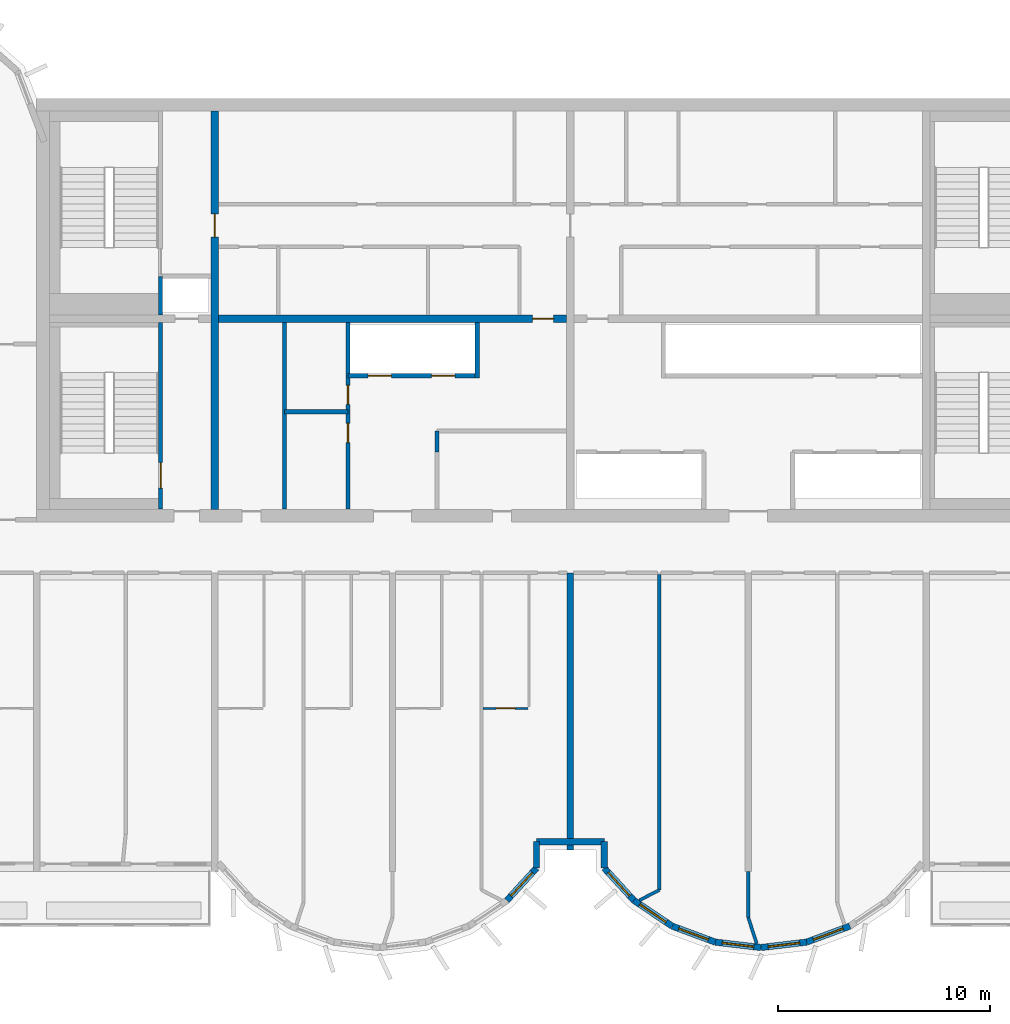
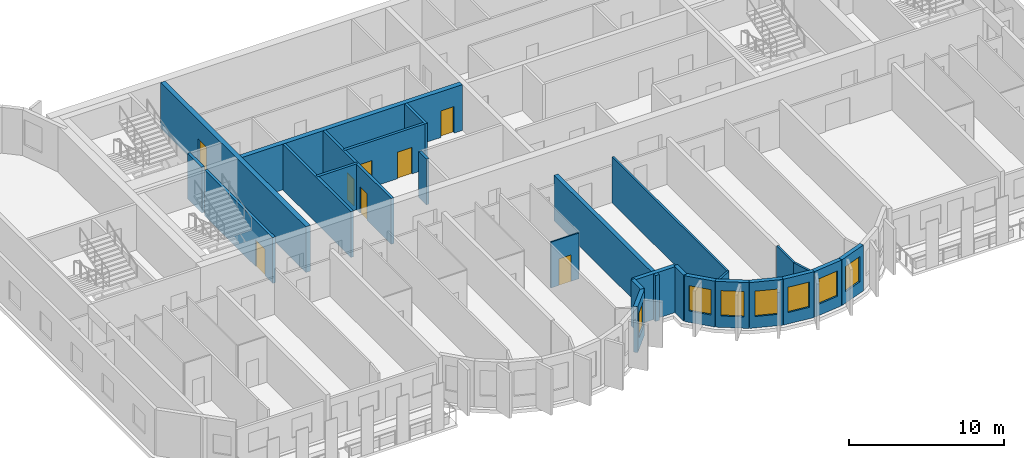
# One storey, part 4 of 11: 26 walls, 8 doors, 7 windows, 15 openings.
"""IFC4 building model written with IfcOpenShell, lengths in metres."""

from ifc_helpers import new_model, si_unit, direction, frame, frame_2d, origin, place, context, subcontext, project, spatial, rectangle, extrude, source, transform, mapped, material, layer, layer_set, type_object, element, fill, save


model = new_model("IFC4")

# Units and contexts
model_context = context("Model", 3, precision=1e-05, world=origin(), true_north=direction((0.0, 1.0)))
body_context = subcontext(model_context, "Body", "Model", "MODEL_VIEW")
ifc_project = project(units=[si_unit("LENGTHUNIT", "METRE"), si_unit("AREAUNIT", "SQUARE_METRE"), si_unit("VOLUMEUNIT", "CUBIC_METRE"), si_unit("PLANEANGLEUNIT", "RADIAN"), si_unit("MASSUNIT", "GRAM", prefix="KILO")], contexts=[model_context])

# Site, building, storey
site_placement = place(None, origin())
site = spatial("IfcSite", under=ifc_project, at=site_placement, CompositionType="ELEMENT")
building_placement = place(site_placement, origin())
building = spatial("IfcBuilding", under=site, at=building_placement, Name="Vanashikhar Sky Hotel", CompositionType="ELEMENT")
storey_placement = place(building_placement, frame((0.0, 0.0, 245.199951171875)))
storey = spatial("IfcBuildingStorey", under=building, at=storey_placement, Name="L59", CompositionType="ELEMENT", Elevation=245.199951171875)

# Wall, opening, door
ifc_material_1 = material(Name="Concrete M60", Category="concrete")
ifc_layer_1 = layer(ifc_material_1, 0.35009765625)
ifc_layer_set_1 = layer_set([ifc_layer_1], Name="RC core inner wall 350 Concrete M60")
wall_type_1 = type_object("IfcWallType", Name="RC core inner wall 350 Concrete M60", PredefinedType="SHEAR", material=ifc_layer_set_1)
shared_shape_1 = source(origin(), body_context, "Body", "SweptSolid", [
    extrude(rectangle(XDim=18.7998046875, YDim=0.35009765625, at=frame_2d((9.39990234375, 0.0))), origin(), (0.0, 0.0, 1.0), 3.6201171875),
])
wall_1_placement = place(storey_placement, frame((33.60009765625, 22.60009765625, 0.0), z_axis=(0.0, 0.0, 1.0), x_axis=(0.0, 1.0, 0.0)))
wall_1 = element("IfcWall", 1, at=wall_1_placement, inside=storey, type_object=wall_type_1, Name="KW-L59-KX1", PredefinedType="SHEAR", context=body_context, shape_type="MappedRepresentation", body=[
    mapped(shared_shape_1, transform((0.0, 0.0, 0.0), scale=1.0)),
])
shared_shape_2 = source(origin(), body_context, "Body", "SweptSolid", [
    extrude(rectangle(XDim=1.10009765625, YDim=2.10009765625, at=frame_2d((0.550048828125, 1.050048828125))), frame((0.0, 0.18505859375, 0.0), z_axis=(0.0, -1.0, 0.0), x_axis=(1.0, 0.0, 0.0)), (0.0, 0.0, 1.0), 0.3701171875),
])
opening_1_placement = place(wall_1_placement, frame((12.85009765625, 0.0, 0.0)))
opening_1 = element("IfcOpeningElement", 2, at=opening_1_placement, cuts=wall_1, Name="Opening DC-4-C", PredefinedType="OPENING", context=body_context, shape_type="MappedRepresentation", body=[
    mapped(shared_shape_2, transform((0.0, 0.0, 0.0), scale=1.0)),
])
ifc_material_2 = material(Name="Steel", Category="steel")
door_type_1 = type_object("IfcDoorType", Name="Service door 1100 FD60", OperationType="NOTDEFINED", PredefinedType="DOOR", material=ifc_material_2)
shared_shape_3 = source(origin(), body_context, "Body", "SweptSolid", [
    extrude(rectangle(XDim=1.10009765625, YDim=2.10009765625, at=frame_2d((0.550048828125, 1.050048828125))), frame((0.0, 0.02490234375, 0.0), z_axis=(0.0, -1.0, 0.0), x_axis=(1.0, 0.0, 0.0)), (0.0, 0.0, 1.0), 0.050048828125),
])
door_1_placement = place(opening_1_placement, origin())
door_1 = element("IfcDoor", 3, at=door_1_placement, inside=storey, type_object=door_type_1, Name="Service door 1100 FD60", OperationType="SINGLE_SWING_LEFT", OverallHeight=2.10009765625, OverallWidth=1.10009765625, PredefinedType="DOOR", context=body_context, shape_type="MappedRepresentation", body=[
    mapped(shared_shape_3, transform((0.0, 0.0, 0.0), scale=1.0)),
])
fill(opening_1, door_1)

shared_shape_4 = source(origin(), body_context, "Body", "SweptSolid", [
    extrude(rectangle(XDim=16.4501953125, YDim=0.35009765625, at=frame_2d((8.22509765625, 0.0))), origin(), (0.0, 0.0, 1.0), 3.6201171875),
])
wall_2_placement = place(storey_placement, frame((33.77490234375, 31.60009765625, 0.0), z_axis=(0.0, 0.0, 1.0), x_axis=(1.0, 0.0, 0.0)))
wall_2 = element("IfcWall", 4, at=wall_2_placement, inside=storey, type_object=wall_type_1, Name="KW-L59-KY2", PredefinedType="SHEAR", context=body_context, shape_type="MappedRepresentation", body=[
    mapped(shared_shape_4, transform((0.0, 0.0, 0.0), scale=1.0)),
])
shared_shape_5 = source(origin(), body_context, "Body", "SweptSolid", [
    extrude(rectangle(XDim=1.0, YDim=2.10009765625, at=frame_2d((0.5, 1.050048828125))), frame((0.0, 0.18505859375, 0.0), z_axis=(0.0, -1.0, 0.0), x_axis=(1.0, 0.0, 0.0)), (0.0, 0.0, 1.0), 0.3701171875),
])
opening_2_placement = place(wall_2_placement, frame((14.8369140625, 0.0, 0.0)))
opening_2 = element("IfcOpeningElement", 5, at=opening_2_placement, cuts=wall_2, Name="Opening DC-4", PredefinedType="OPENING", context=body_context, shape_type="MappedRepresentation", body=[
    mapped(shared_shape_5, transform((0.0, 0.0, 0.0), scale=1.0)),
])
door_type_2 = type_object("IfcDoorType", Name="Service door 1000 FD60", OperationType="NOTDEFINED", PredefinedType="DOOR", material=ifc_material_2)
shared_shape_6 = source(origin(), body_context, "Body", "SweptSolid", [
    extrude(rectangle(XDim=1.0, YDim=2.10009765625, at=frame_2d((0.5, 1.050048828125))), frame((0.0, 0.02490234375, 0.0), z_axis=(0.0, -1.0, 0.0), x_axis=(1.0, 0.0, 0.0)), (0.0, 0.0, 1.0), 0.050048828125),
])
door_2_placement = place(opening_2_placement, origin())
door_2 = element("IfcDoor", 6, at=door_2_placement, inside=storey, type_object=door_type_2, Name="Service door 1000 FD60", OperationType="SINGLE_SWING_LEFT", OverallHeight=2.10009765625, OverallWidth=1.0, PredefinedType="DOOR", context=body_context, shape_type="MappedRepresentation", body=[
    mapped(shared_shape_6, transform((0.0, 0.0, 0.0), scale=1.0)),
])
fill(opening_2, door_2)

# Wall
ifc_layer_2 = layer(ifc_material_1, 0.300048828125)
ifc_layer_set_2 = layer_set([ifc_layer_2], Name="RC shear wall 300 Concrete M60")
wall_type_2 = type_object("IfcWallType", Name="RC shear wall 300 Concrete M60", PredefinedType="SHEAR", material=ifc_layer_set_2)
shared_shape_7 = source(origin(), body_context, "Body", "SweptSolid", [
    extrude(rectangle(XDim=13.10009765625, YDim=0.300048828125, at=frame_2d((6.550048828125, 0.0))), origin(), (0.0, 0.0, 1.0), 3.6201171875),
])
wall_3_placement = place(storey_placement, frame((50.39990234375, 6.5, 0.0), z_axis=(0.0, 0.0, 1.0), x_axis=(0.0, 1.0, 0.0)))
element("IfcWall", 7, at=wall_3_placement, inside=storey, type_object=wall_type_2, Name="CW-L59-XW07-1", PredefinedType="SHEAR", context=body_context, shape_type="MappedRepresentation", body=[
    mapped(shared_shape_7, transform((0.0, 0.0, 0.0), scale=1.0)),
])

# Wall, opening, window
ifc_material_3 = material(Name="Concrete M50", Category="concrete")
ifc_layer_3 = layer(ifc_material_3, 0.300048828125)
ifc_layer_set_3 = layer_set([ifc_layer_3], Name="Lobe wall 300")
wall_type_3 = type_object("IfcWallType", Name="Lobe wall 300", PredefinedType="SOLIDWALL", material=ifc_layer_set_3)
shared_shape_8 = source(origin(), body_context, "Body", "SweptSolid", [
    extrude(rectangle(XDim=2.17578125, YDim=0.300048828125, at=frame_2d((1.087890625, 0.0))), origin(), (0.0, 0.0, 1.0), 3.6201171875),
])
wall_4_placement = place(storey_placement, frame((53.395751953125, 4.13134765625, 0.0), z_axis=(0.0, 0.0, 1.0), x_axis=(0.829590746428, -0.558371913192, 0.0)))
wall_4 = element("IfcWall", 8, at=wall_4_placement, inside=storey, type_object=wall_type_3, Name="Lobe wall", PredefinedType="SOLIDWALL", context=body_context, shape_type="MappedRepresentation", body=[
    mapped(shared_shape_8, transform((0.0, 0.0, 0.0), scale=1.0)),
])
shared_shape_9 = source(origin(), body_context, "Body", "SweptSolid", [
    extrude(rectangle(XDim=1.5, YDim=2.0, at=frame_2d((0.75, 1.0))), frame((0.0, 0.16015625, 0.0), z_axis=(0.0, -1.0, 0.0), x_axis=(1.0, 0.0, 0.0)), (0.0, 0.0, 1.0), 0.320068359375),
])
opening_3_placement = place(wall_4_placement, frame((0.337890625, 0.0, 0.89990234375)))
opening_3 = element("IfcOpeningElement", 9, at=opening_3_placement, cuts=wall_4, Name="Opening WN-2", PredefinedType="OPENING", context=body_context, shape_type="MappedRepresentation", body=[
    mapped(shared_shape_9, transform((0.0, 0.0, 0.0), scale=1.0)),
])
ifc_material_4 = material(Name="Glass", Category="glass")
window_type = type_object("IfcWindowType", Name="Lobe window 1500 x 2000", PartitioningType="SINGLE_PANEL", PredefinedType="WINDOW", material=ifc_material_4)
shared_shape_10 = source(origin(), body_context, "Body", "SweptSolid", [
    extrude(rectangle(XDim=1.5, YDim=2.0, at=frame_2d((0.75, 1.0))), frame((0.0, 0.030029296875, 0.0), z_axis=(0.0, -1.0, 0.0), x_axis=(1.0, 0.0, 0.0)), (0.0, 0.0, 1.0), 0.06005859375),
])
window_1_placement = place(opening_3_placement, origin())
window_1 = element("IfcWindow", 10, at=window_1_placement, inside=storey, type_object=window_type, Name="Window WN-2", OverallHeight=2.0, OverallWidth=1.5, PartitioningType="SINGLE_PANEL", PredefinedType="WINDOW", context=body_context, shape_type="MappedRepresentation", body=[
    mapped(shared_shape_10, transform((0.0, 0.0, 0.0), scale=1.0)),
])
fill(opening_3, window_1)

wall_5_placement = place(storey_placement, frame((55.20068359375, 2.91650390625, 0.0), z_axis=(0.0, 0.0, 1.0), x_axis=(0.93754555999, -0.347862505801, 0.0)))
wall_5 = element("IfcWall", 11, at=wall_5_placement, inside=storey, type_object=wall_type_3, Name="Lobe wall", PredefinedType="SOLIDWALL", context=body_context, shape_type="MappedRepresentation", body=[
    mapped(shared_shape_8, transform((0.0, 0.0, 0.0), scale=1.0)),
])
opening_4_placement = place(wall_5_placement, frame((0.337890625, 0.0, 0.89990234375)))
opening_4 = element("IfcOpeningElement", 12, at=opening_4_placement, cuts=wall_5, Name="Opening WN-2", PredefinedType="OPENING", context=body_context, shape_type="MappedRepresentation", body=[
    mapped(shared_shape_9, transform((0.0, 0.0, 0.0), scale=1.0)),
])
window_2_placement = place(opening_4_placement, origin())
window_2 = element("IfcWindow", 13, at=window_2_placement, inside=storey, type_object=window_type, Name="Window WN-2", OverallHeight=2.0, OverallWidth=1.5, PartitioningType="SINGLE_PANEL", PredefinedType="WINDOW", context=body_context, shape_type="MappedRepresentation", body=[
    mapped(shared_shape_10, transform((0.0, 0.0, 0.0), scale=1.0)),
])
fill(opening_4, window_2)

shared_shape_11 = source(origin(), body_context, "Body", "SweptSolid", [
    extrude(rectangle(XDim=2.174560546875, YDim=0.300048828125, at=frame_2d((1.08740234375, 0.0))), origin(), (0.0, 0.0, 1.0), 3.6201171875),
])
wall_6_placement = place(storey_placement, frame((57.240478515625, 2.15966796875, 0.0), z_axis=(0.0, 0.0, 1.0), x_axis=(0.993001132889, -0.118104826659, 0.0)))
wall_6 = element("IfcWall", 14, at=wall_6_placement, inside=storey, type_object=wall_type_3, Name="Lobe wall", PredefinedType="SOLIDWALL", context=body_context, shape_type="MappedRepresentation", body=[
    mapped(shared_shape_11, transform((0.0, 0.0, 0.0), scale=1.0)),
])
opening_5_placement = place(wall_6_placement, frame((0.33740234375, 0.0, 0.89990234375)))
opening_5 = element("IfcOpeningElement", 15, at=opening_5_placement, cuts=wall_6, Name="Opening WN-2", PredefinedType="OPENING", context=body_context, shape_type="MappedRepresentation", body=[
    mapped(shared_shape_9, transform((0.0, 0.0, 0.0), scale=1.0)),
])
window_3_placement = place(opening_5_placement, origin())
window_3 = element("IfcWindow", 16, at=window_3_placement, inside=storey, type_object=window_type, Name="Window WN-2", OverallHeight=2.0, OverallWidth=1.5, PartitioningType="SINGLE_PANEL", PredefinedType="WINDOW", context=body_context, shape_type="MappedRepresentation", body=[
    mapped(shared_shape_10, transform((0.0, 0.0, 0.0), scale=1.0)),
])
fill(opening_5, window_3)

shared_shape_12 = source(origin(), body_context, "Body", "SweptSolid", [
    extrude(rectangle(XDim=2.1748046875, YDim=0.300048828125, at=frame_2d((1.08740234375, 0.0))), origin(), (0.0, 0.0, 1.0), 3.6201171875),
])
wall_7_placement = place(storey_placement, frame((59.39990234375, 1.90283203125, 0.0), z_axis=(0.0, 0.0, 1.0), x_axis=(0.993002698611, 0.118091661648, 0.0)))
wall_7 = element("IfcWall", 17, at=wall_7_placement, inside=storey, type_object=wall_type_3, Name="Lobe wall", PredefinedType="SOLIDWALL", context=body_context, shape_type="MappedRepresentation", body=[
    mapped(shared_shape_12, transform((0.0, 0.0, 0.0), scale=1.0)),
])
opening_6_placement = place(wall_7_placement, frame((0.33740234375, 0.0, 0.89990234375)))
opening_6 = element("IfcOpeningElement", 18, at=opening_6_placement, cuts=wall_7, Name="Opening WN-2", PredefinedType="OPENING", context=body_context, shape_type="MappedRepresentation", body=[
    mapped(shared_shape_9, transform((0.0, 0.0, 0.0), scale=1.0)),
])
window_4_placement = place(opening_6_placement, origin())
window_4 = element("IfcWindow", 19, at=window_4_placement, inside=storey, type_object=window_type, Name="Window WN-2", OverallHeight=2.0, OverallWidth=1.5, PartitioningType="SINGLE_PANEL", PredefinedType="WINDOW", context=body_context, shape_type="MappedRepresentation", body=[
    mapped(shared_shape_10, transform((0.0, 0.0, 0.0), scale=1.0)),
])
fill(opening_6, window_4)

shared_shape_13 = source(origin(), body_context, "Body", "SweptSolid", [
    extrude(rectangle(XDim=2.175537109375, YDim=0.300048828125, at=frame_2d((1.087890625, 0.0))), origin(), (0.0, 0.0, 1.0), 3.6201171875),
])
wall_8_placement = place(storey_placement, frame((61.5595703125, 2.15966796875, 0.0), z_axis=(0.0, 0.0, 1.0), x_axis=(0.937531979054, 0.347899106424, 0.0)))
wall_8 = element("IfcWall", 20, at=wall_8_placement, inside=storey, type_object=wall_type_3, Name="Lobe wall", PredefinedType="SOLIDWALL", context=body_context, shape_type="MappedRepresentation", body=[
    mapped(shared_shape_13, transform((0.0, 0.0, 0.0), scale=1.0)),
])
opening_7_placement = place(wall_8_placement, frame((0.337890625, 0.0, 0.89990234375)))
opening_7 = element("IfcOpeningElement", 21, at=opening_7_placement, cuts=wall_8, Name="Opening WN-2", PredefinedType="OPENING", context=body_context, shape_type="MappedRepresentation", body=[
    mapped(shared_shape_9, transform((0.0, 0.0, 0.0), scale=1.0)),
])
window_5_placement = place(opening_7_placement, origin())
window_5 = element("IfcWindow", 22, at=window_5_placement, inside=storey, type_object=window_type, Name="Window WN-2", OverallHeight=2.0, OverallWidth=1.5, PartitioningType="SINGLE_PANEL", PredefinedType="WINDOW", context=body_context, shape_type="MappedRepresentation", body=[
    mapped(shared_shape_10, transform((0.0, 0.0, 0.0), scale=1.0)),
])
fill(opening_7, window_5)

shared_shape_14 = source(origin(), body_context, "Body", "SweptSolid", [
    extrude(rectangle(XDim=2.066650390625, YDim=0.300048828125, at=frame_2d((1.033203125, 0.0))), origin(), (0.0, 0.0, 1.0), 3.6201171875),
])
wall_9_placement = place(storey_placement, frame((47.404296875, 4.13134765625, 0.0), z_axis=(0.0, 0.0, 1.0), x_axis=(0.675355439877, 0.737492393065, 0.0)))
wall_9 = element("IfcWall", 23, at=wall_9_placement, inside=storey, type_object=wall_type_3, Name="Lobe wall", PredefinedType="SOLIDWALL", context=body_context, shape_type="MappedRepresentation", body=[
    mapped(shared_shape_14, transform((0.0, 0.0, 0.0), scale=1.0)),
])
opening_8_placement = place(wall_9_placement, frame((0.283447265625, 0.0, 0.89990234375)))
opening_8 = element("IfcOpeningElement", 24, at=opening_8_placement, cuts=wall_9, Name="Opening WN-2", PredefinedType="OPENING", context=body_context, shape_type="MappedRepresentation", body=[
    mapped(shared_shape_9, transform((0.0, 0.0, 0.0), scale=1.0)),
])
window_6_placement = place(opening_8_placement, origin())
window_6 = element("IfcWindow", 25, at=window_6_placement, inside=storey, type_object=window_type, Name="Window WN-2", OverallHeight=2.0, OverallWidth=1.5, PartitioningType="SINGLE_PANEL", PredefinedType="WINDOW", context=body_context, shape_type="MappedRepresentation", body=[
    mapped(shared_shape_10, transform((0.0, 0.0, 0.0), scale=1.0)),
])
fill(opening_8, window_6)

wall_10_placement = place(storey_placement, frame((52.0, 5.655517578125, 0.0), z_axis=(0.0, 0.0, 1.0), x_axis=(0.675355439877, -0.737492393065, 0.0)))
wall_10 = element("IfcWall", 26, at=wall_10_placement, inside=storey, type_object=wall_type_3, Name="Lobe wall", PredefinedType="SOLIDWALL", context=body_context, shape_type="MappedRepresentation", body=[
    mapped(shared_shape_14, transform((0.0, 0.0, 0.0), scale=1.0)),
])
opening_9_placement = place(wall_10_placement, frame((0.283447265625, 0.0, 0.89990234375)))
opening_9 = element("IfcOpeningElement", 27, at=opening_9_placement, cuts=wall_10, Name="Opening WN-2", PredefinedType="OPENING", context=body_context, shape_type="MappedRepresentation", body=[
    mapped(shared_shape_9, transform((0.0, 0.0, 0.0), scale=1.0)),
])
window_7_placement = place(opening_9_placement, origin())
window_7 = element("IfcWindow", 28, at=window_7_placement, inside=storey, type_object=window_type, Name="Window WN-2", OverallHeight=2.0, OverallWidth=1.5, PartitioningType="SINGLE_PANEL", PredefinedType="WINDOW", context=body_context, shape_type="MappedRepresentation", body=[
    mapped(shared_shape_10, transform((0.0, 0.0, 0.0), scale=1.0)),
])
fill(opening_9, window_7)

# Walls
shared_shape_15 = source(origin(), body_context, "Body", "SweptSolid", [
    extrude(rectangle(XDim=1.244384765625, YDim=0.300048828125, at=frame_2d((0.6220703125, 0.0))), origin(), (0.0, 0.0, 1.0), 3.6201171875),
])
for number, where, z_axis, x_axis, name in (
    (29, (48.800048828125, 5.655517578125, 0.0), (0.0, 0.0, 1.0), (0.0, 1.0, 0.0), "Groove wall"),
    (30, (52.0, 6.89990234375, 0.0), (0.0, 0.0, 1.0), (0.0, -1.0, 0.0), "Groove wall"),
):
    element("IfcWall", number, at=place(storey_placement, frame(where, z_axis=z_axis, x_axis=x_axis)), inside=storey, type_object=wall_type_3, Name=name, PredefinedType="SOLIDWALL", context=body_context, shape_type="MappedRepresentation", body=[
        mapped(shared_shape_15, transform((0.0, 0.0, 0.0), scale=1.0)),
    ])
shared_shape_16 = source(origin(), body_context, "Body", "SweptSolid", [
    extrude(rectangle(XDim=3.199951171875, YDim=0.300048828125, at=frame_2d((1.60009765625, 0.0))), origin(), (0.0, 0.0, 1.0), 3.6201171875),
])
wall_11_placement = place(storey_placement, frame((48.800048828125, 6.89990234375, 0.0), z_axis=(0.0, 0.0, 1.0), x_axis=(1.0, 0.0, 0.0)))
element("IfcWall", 31, at=wall_11_placement, inside=storey, type_object=wall_type_3, Name="Groove wall", PredefinedType="SOLIDWALL", context=body_context, shape_type="MappedRepresentation", body=[
    mapped(shared_shape_16, transform((0.0, 0.0, 0.0), scale=1.0)),
])

# Wall, openings, doors
ifc_material_5 = material(Name="Concrete M40", Category="concrete")
ifc_layer_4 = layer(ifc_material_5, 0.199951171875)
ifc_layer_set_4 = layer_set([ifc_layer_4], Name="Shaft wall 200")
wall_type_4 = type_object("IfcWallType", Name="Shaft wall 200", PredefinedType="SOLIDWALL", material=ifc_layer_set_4)
shared_shape_17 = source(origin(), body_context, "Body", "SweptSolid", [
    extrude(rectangle(XDim=6.0, YDim=0.199951171875, at=frame_2d((3.0, 0.0))), origin(), (0.0, 0.0, 1.0), 3.6201171875),
])
wall_12_placement = place(storey_placement, frame((39.89990234375, 28.89990234375, 0.0), z_axis=(0.0, 0.0, 1.0), x_axis=(1.0, 0.0, 0.0)))
wall_12 = element("IfcWall", 32, at=wall_12_placement, inside=storey, type_object=wall_type_4, Name="Shaft wall 200", PredefinedType="SOLIDWALL", context=body_context, shape_type="MappedRepresentation", body=[
    mapped(shared_shape_17, transform((0.0, 0.0, 0.0), scale=1.0)),
])
shared_shape_18 = source(origin(), body_context, "Body", "SweptSolid", [
    extrude(rectangle(XDim=1.10009765625, YDim=2.10009765625, at=frame_2d((0.550048828125, 1.050048828125))), frame((0.0, 0.10986328125, 0.0), z_axis=(0.0, -1.0, 0.0), x_axis=(1.0, 0.0, 0.0)), (0.0, 0.0, 1.0), 0.219970703125),
])
opening_10_placement = place(wall_12_placement, frame((0.949951171875, 0.0, 0.0)))
opening_10 = element("IfcOpeningElement", 33, at=opening_10_placement, cuts=wall_12, Name="Opening LD", PredefinedType="OPENING", context=body_context, shape_type="MappedRepresentation", body=[
    mapped(shared_shape_18, transform((0.0, 0.0, 0.0), scale=1.0)),
])
opening_11_placement = place(wall_12_placement, frame((3.949951171875, 0.0, 0.0)))
opening_11 = element("IfcOpeningElement", 34, at=opening_11_placement, cuts=wall_12, Name="Opening LD", PredefinedType="OPENING", context=body_context, shape_type="MappedRepresentation", body=[
    mapped(shared_shape_18, transform((0.0, 0.0, 0.0), scale=1.0)),
])
ifc_material_6 = material(Name="Stainless steel", Category="steel")
door_type_3 = type_object("IfcDoorType", Name="Lift landing door 1100", OperationType="NOTDEFINED", PredefinedType="DOOR", material=ifc_material_6)
door_3_placement = place(opening_10_placement, origin())
door_3 = element("IfcDoor", 35, at=door_3_placement, inside=storey, type_object=door_type_3, Name="Lift landing door 1100", OperationType="SLIDING_TO_LEFT", OverallHeight=2.10009765625, OverallWidth=1.10009765625, PredefinedType="DOOR", context=body_context, shape_type="MappedRepresentation", body=[
    mapped(shared_shape_3, transform((0.0, 0.0, 0.0), scale=1.0)),
])
fill(opening_10, door_3)
door_4_placement = place(opening_11_placement, origin())
door_4 = element("IfcDoor", 36, at=door_4_placement, inside=storey, type_object=door_type_3, Name="Lift landing door 1100", OperationType="SLIDING_TO_RIGHT", OverallHeight=2.10009765625, OverallWidth=1.10009765625, PredefinedType="DOOR", context=body_context, shape_type="MappedRepresentation", body=[
    mapped(shared_shape_3, transform((0.0, 0.0, 0.0), scale=1.0)),
])
fill(opening_11, door_4)

ifc_material_7 = material(Name="Gypsum board partition")
ifc_layer_5 = layer(ifc_material_7, 0.14990234375)
ifc_layer_set_5 = layer_set([ifc_layer_5], Name="Service partition 150")
wall_type_5 = type_object("IfcWallType", Name="Service partition 150", PredefinedType="PARTITIONING", material=ifc_layer_set_5)
shared_shape_19 = source(origin(), body_context, "Body", "SweptSolid", [
    extrude(rectangle(XDim=8.824951171875, YDim=0.199951171875, at=frame_2d((4.41259765625, 0.0))), origin(), (0.0, 0.0, 1.0), 3.6201171875),
])
wall_13_placement = place(storey_placement, frame((39.89990234375, 22.60009765625, 0.0), z_axis=(0.0, 0.0, 1.0), x_axis=(0.0, 1.0, 0.0)))
wall_13 = element("IfcWall", 37, at=wall_13_placement, inside=storey, type_object=wall_type_5, Name="Service partition 150", PredefinedType="PARTITIONING", context=body_context, shape_type="MappedRepresentation", body=[
    mapped(shared_shape_19, transform((0.0, 0.0, 0.0), scale=1.0)),
])
shared_shape_20 = source(origin(), body_context, "Body", "SweptSolid", [
    extrude(rectangle(XDim=0.89990234375, YDim=2.10009765625, at=frame_2d((0.449951171875, 1.050048828125))), frame((0.0, 0.10986328125, 0.0), z_axis=(0.0, -1.0, 0.0), x_axis=(1.0, 0.0, 0.0)), (0.0, 0.0, 1.0), 0.219970703125),
])
opening_12_placement = place(wall_13_placement, frame((3.14990234375, 0.0, 0.0)))
opening_12 = element("IfcOpeningElement", 38, at=opening_12_placement, cuts=wall_13, Name="Opening DC-4-A", PredefinedType="OPENING", context=body_context, shape_type="MappedRepresentation", body=[
    mapped(shared_shape_20, transform((0.0, 0.0, 0.0), scale=1.0)),
])
opening_13_placement = place(wall_13_placement, frame((4.949951171875, 0.0, 0.0)))
opening_13 = element("IfcOpeningElement", 39, at=opening_13_placement, cuts=wall_13, Name="Opening DC-4-A", PredefinedType="OPENING", context=body_context, shape_type="MappedRepresentation", body=[
    mapped(shared_shape_20, transform((0.0, 0.0, 0.0), scale=1.0)),
])
door_type_4 = type_object("IfcDoorType", Name="Service door 900 FD60", OperationType="NOTDEFINED", PredefinedType="DOOR", material=ifc_material_2)
shared_shape_21 = source(origin(), body_context, "Body", "SweptSolid", [
    extrude(rectangle(XDim=0.89990234375, YDim=2.10009765625, at=frame_2d((0.449951171875, 1.050048828125))), frame((0.0, 0.02490234375, 0.0), z_axis=(0.0, -1.0, 0.0), x_axis=(1.0, 0.0, 0.0)), (0.0, 0.0, 1.0), 0.050048828125),
])
door_5_placement = place(opening_12_placement, origin())
door_5 = element("IfcDoor", 40, at=door_5_placement, inside=storey, type_object=door_type_4, Name="Service door 900 FD60", OperationType="SINGLE_SWING_LEFT", OverallHeight=2.10009765625, OverallWidth=0.89990234375, PredefinedType="DOOR", context=body_context, shape_type="MappedRepresentation", body=[
    mapped(shared_shape_21, transform((0.0, 0.0, 0.0), scale=1.0)),
])
fill(opening_12, door_5)
door_6_placement = place(opening_13_placement, origin())
door_6 = element("IfcDoor", 41, at=door_6_placement, inside=storey, type_object=door_type_4, Name="Service door 900 FD60", OperationType="SINGLE_SWING_RIGHT", OverallHeight=2.10009765625, OverallWidth=0.89990234375, PredefinedType="DOOR", context=body_context, shape_type="MappedRepresentation", body=[
    mapped(shared_shape_21, transform((0.0, 0.0, 0.0), scale=1.0)),
])
fill(opening_13, door_6)

# Walls
wall_14_placement = place(storey_placement, frame((36.89990234375, 22.60009765625, 0.0), z_axis=(0.0, 0.0, 1.0), x_axis=(0.0, 1.0, 0.0)))
element("IfcWall", 42, at=wall_14_placement, inside=storey, type_object=wall_type_5, Name="Service partition 150", PredefinedType="PARTITIONING", context=body_context, shape_type="MappedRepresentation", body=[
    mapped(shared_shape_19, transform((0.0, 0.0, 0.0), scale=1.0)),
])
shared_shape_22 = source(origin(), body_context, "Body", "SweptSolid", [
    extrude(rectangle(XDim=2.625, YDim=0.199951171875, at=frame_2d((1.3125, 0.0))), origin(), (0.0, 0.0, 1.0), 3.6201171875),
])
wall_15_placement = place(storey_placement, frame((46.0, 28.800048828125, 0.0), z_axis=(0.0, 0.0, 1.0), x_axis=(0.0, 1.0, 0.0)))
element("IfcWall", 43, at=wall_15_placement, inside=storey, type_object=wall_type_4, Name="Shaft wall 200", PredefinedType="SOLIDWALL", context=body_context, shape_type="MappedRepresentation", body=[
    mapped(shared_shape_22, transform((0.0, 0.0, 0.0), scale=1.0)),
])
shared_shape_23 = source(origin(), body_context, "Body", "SweptSolid", [
    extrude(rectangle(XDim=1.0, YDim=0.199951171875, at=frame_2d((0.5, 0.0))), origin(), (0.0, 0.0, 1.0), 3.6201171875),
])
wall_16_placement = place(storey_placement, frame((44.10009765625, 25.300048828125, 0.0), z_axis=(0.0, 0.0, 1.0), x_axis=(0.0, 1.0, 0.0)))
element("IfcWall", 44, at=wall_16_placement, inside=storey, type_object=wall_type_5, Name="Service partition 150", PredefinedType="PARTITIONING", context=body_context, shape_type="MappedRepresentation", body=[
    mapped(shared_shape_23, transform((0.0, 0.0, 0.0), scale=1.0)),
])

# Wall, opening, door
ifc_layer_6 = layer(ifc_material_3, 0.199951171875)
ifc_layer_set_6 = layer_set([ifc_layer_6], Name="Stair wall 200")
wall_type_6 = type_object("IfcWallType", Name="Stair wall 200", PredefinedType="SOLIDWALL", material=ifc_layer_set_6)
shared_shape_24 = source(origin(), body_context, "Body", "SweptSolid", [
    extrude(rectangle(XDim=8.824951171875, YDim=0.199951171875, at=frame_2d((4.41259765625, 0.0))), origin(), (0.0, 0.0, 1.0), 3.6201171875),
])
wall_17_placement = place(storey_placement, frame((31.050048828125, 22.60009765625, 0.0), z_axis=(0.0, 0.0, 1.0), x_axis=(0.0, 1.0, 0.0)))
wall_17 = element("IfcWall", 45, at=wall_17_placement, inside=storey, type_object=wall_type_6, Name="Stair wall 200", PredefinedType="SOLIDWALL", context=body_context, shape_type="MappedRepresentation", body=[
    mapped(shared_shape_24, transform((0.0, 0.0, 0.0), scale=1.0)),
])
shared_shape_25 = source(origin(), body_context, "Body", "SweptSolid", [
    extrude(rectangle(XDim=1.199951171875, YDim=2.10009765625, at=frame_2d((0.60009765625, 1.050048828125))), frame((0.0, 0.10986328125, 0.0), z_axis=(0.0, -1.0, 0.0), x_axis=(1.0, 0.0, 0.0)), (0.0, 0.0, 1.0), 0.219970703125),
])
opening_14_placement = place(wall_17_placement, frame((1.0, 0.0, 0.0)))
opening_14 = element("IfcOpeningElement", 46, at=opening_14_placement, cuts=wall_17, Name="Opening DC-1", PredefinedType="OPENING", context=body_context, shape_type="MappedRepresentation", body=[
    mapped(shared_shape_25, transform((0.0, 0.0, 0.0), scale=1.0)),
])
door_type_5 = type_object("IfcDoorType", Name="Stair door 1200 FD120", OperationType="NOTDEFINED", PredefinedType="DOOR", material=ifc_material_2)
shared_shape_26 = source(origin(), body_context, "Body", "SweptSolid", [
    extrude(rectangle(XDim=1.199951171875, YDim=2.10009765625, at=frame_2d((0.60009765625, 1.050048828125))), frame((0.0, 0.02490234375, 0.0), z_axis=(0.0, -1.0, 0.0), x_axis=(1.0, 0.0, 0.0)), (0.0, 0.0, 1.0), 0.050048828125),
])
door_7_placement = place(opening_14_placement, origin())
door_7 = element("IfcDoor", 47, at=door_7_placement, inside=storey, type_object=door_type_5, Name="Stair door 1200 FD120", OperationType="SINGLE_SWING_RIGHT", OverallHeight=2.10009765625, OverallWidth=1.199951171875, PredefinedType="DOOR", context=body_context, shape_type="MappedRepresentation", body=[
    mapped(shared_shape_26, transform((0.0, 0.0, 0.0), scale=1.0)),
])
fill(opening_14, door_7)

# Walls
shared_shape_27 = source(origin(), body_context, "Body", "SweptSolid", [
    extrude(rectangle(XDim=1.8251953125, YDim=0.199951171875, at=frame_2d((0.91259765625, 0.0))), origin(), (0.0, 0.0, 1.0), 3.6201171875),
])
wall_18_placement = place(storey_placement, frame((31.050048828125, 31.77490234375, 0.0), z_axis=(0.0, 0.0, 1.0), x_axis=(0.0, 1.0, 0.0)))
element("IfcWall", 48, at=wall_18_placement, inside=storey, type_object=wall_type_4, Name="Shaft wall 200", PredefinedType="SOLIDWALL", context=body_context, shape_type="MappedRepresentation", body=[
    mapped(shared_shape_27, transform((0.0, 0.0, 0.0), scale=1.0)),
])
shared_shape_28 = source(origin(), body_context, "Body", "SweptSolid", [
    extrude(rectangle(XDim=3.0, YDim=0.199951171875, at=frame_2d((1.5, 0.0))), origin(), (0.0, 0.0, 1.0), 3.6201171875),
])
wall_19_placement = place(storey_placement, frame((36.89990234375, 27.199951171875, 0.0), z_axis=(0.0, 0.0, 1.0), x_axis=(1.0, 0.0, 0.0)))
element("IfcWall", 49, at=wall_19_placement, inside=storey, type_object=wall_type_5, Name="Service partition 150", PredefinedType="PARTITIONING", context=body_context, shape_type="MappedRepresentation", body=[
    mapped(shared_shape_28, transform((0.0, 0.0, 0.0), scale=1.0)),
])

# Wall, opening, door
ifc_material_8 = material(Name="Gypsum plasterboard partition")
ifc_layer_7 = layer(ifc_material_8, 0.10009765625)
ifc_layer_set_7 = layer_set([ifc_layer_7], Name="Wet room partition 100")
wall_type_7 = type_object("IfcWallType", Name="Wet room partition 100", PredefinedType="PARTITIONING", material=ifc_layer_set_7)
shared_shape_29 = source(origin(), body_context, "Body", "SweptSolid", [
    extrude(rectangle(XDim=2.125, YDim=0.10009765625, at=frame_2d((1.0625, 0.0))), origin(), (0.0, 0.0, 1.0), 3.6201171875),
])
wall_20_placement = place(storey_placement, frame((46.27490234375, 13.199951171875, 0.0), z_axis=(0.0, 0.0, 1.0), x_axis=(1.0, 0.0, 0.0)))
wall_20 = element("IfcWall", 50, at=wall_20_placement, inside=storey, type_object=wall_type_7, Name="W-L59-PW022", PredefinedType="PARTITIONING", context=body_context, shape_type="MappedRepresentation", body=[
    mapped(shared_shape_29, transform((0.0, 0.0, 0.0), scale=1.0)),
])
shared_shape_30 = source(origin(), body_context, "Body", "SweptSolid", [
    extrude(rectangle(XDim=0.89990234375, YDim=2.10009765625, at=frame_2d((0.449951171875, 1.050048828125))), frame((0.0, 0.06005859375, 0.0), z_axis=(0.0, -1.0, 0.0), x_axis=(1.0, 0.0, 0.0)), (0.0, 0.0, 1.0), 0.1201171875),
])
opening_15_placement = place(wall_20_placement, frame((0.613037109375, 0.0, 0.0)))
opening_15 = element("IfcOpeningElement", 51, at=opening_15_placement, cuts=wall_20, Name="Opening D-02", PredefinedType="OPENING", context=body_context, shape_type="MappedRepresentation", body=[
    mapped(shared_shape_30, transform((0.0, 0.0, 0.0), scale=1.0)),
])
ifc_material_9 = material(Name="Timber door", Category="wood")
door_type_6 = type_object("IfcDoorType", Name="Internal door 900", OperationType="NOTDEFINED", PredefinedType="DOOR", material=ifc_material_9)
door_8_placement = place(opening_15_placement, origin())
door_8 = element("IfcDoor", 52, at=door_8_placement, inside=storey, type_object=door_type_6, Name="D-L59-013", OperationType="SINGLE_SWING_RIGHT", OverallHeight=2.10009765625, OverallWidth=0.89990234375, PredefinedType="DOOR", context=body_context, shape_type="MappedRepresentation", body=[
    mapped(shared_shape_21, transform((0.0, 0.0, 0.0), scale=1.0)),
])
fill(opening_15, door_8)

# Walls
ifc_layer_8 = layer(ifc_material_8, 0.14990234375)
ifc_layer_set_8 = layer_set([ifc_layer_8], Name="Corridor and demising partition 150")
wall_type_8 = type_object("IfcWallType", Name="Corridor and demising partition 150", PredefinedType="PARTITIONING", material=ifc_layer_set_8)
shared_shape_31 = source(origin(), body_context, "Body", "SweptSolid", [
    extrude(rectangle(XDim=14.906005859375, YDim=0.14990234375, at=frame_2d((7.453125, 0.0))), origin(), (0.0, 0.0, 1.0), 3.6201171875),
])
wall_21_placement = place(storey_placement, frame((54.60009765625, 4.618896484375, 0.0), z_axis=(0.0, 0.0, 1.0), x_axis=(0.0, 1.0, 0.0)))
element("IfcWall", 53, at=wall_21_placement, inside=storey, type_object=wall_type_8, Name="W-L59-PW027", PredefinedType="PARTITIONING", context=body_context, shape_type="MappedRepresentation", body=[
    mapped(shared_shape_31, transform((0.0, 0.0, 0.0), scale=1.0)),
])
shared_shape_32 = source(origin(), body_context, "Body", "SweptSolid", [
    extrude(rectangle(XDim=2.177978515625, YDim=0.14990234375, at=frame_2d((1.0888671875, 0.0))), origin(), (0.0, 0.0, 1.0), 3.6201171875),
])
wall_22_placement = place(storey_placement, frame((58.800048828125, 3.322021484375, 0.0), z_axis=(0.0, 0.0, 1.0), x_axis=(0.0, 1.0, 0.0)))
element("IfcWall", 54, at=wall_22_placement, inside=storey, type_object=wall_type_8, Name="W-L59-PW040", PredefinedType="PARTITIONING", context=body_context, shape_type="MappedRepresentation", body=[
    mapped(shared_shape_32, transform((0.0, 0.0, 0.0), scale=1.0)),
])
shared_shape_33 = source(origin(), body_context, "Body", "SweptSolid", [
    extrude(rectangle(XDim=1.057861328125, YDim=0.14990234375, at=frame_2d((0.52880859375, 0.0))), origin(), (0.0, 0.0, 1.0), 3.6201171875),
])
wall_23_placement = place(storey_placement, frame((53.659912109375, 4.134033203125, 0.0), z_axis=(0.0, 0.0, 1.0), x_axis=(0.888772319209, 0.458348955063, 0.0)))
element("IfcWall", 55, at=wall_23_placement, inside=storey, type_object=wall_type_8, Name="W-L59-PW027B0", PredefinedType="PARTITIONING", context=body_context, shape_type="MappedRepresentation", body=[
    mapped(shared_shape_33, transform((0.0, 0.0, 0.0), scale=1.0)),
])
shared_shape_34 = source(origin(), body_context, "Body", "SweptSolid", [
    extrude(rectangle(XDim=1.308349609375, YDim=0.14990234375, at=frame_2d((0.654296875, 0.0))), origin(), (0.0, 0.0, 1.0), 3.6201171875),
])
wall_24_placement = place(storey_placement, frame((59.201904296875, 2.076904296875, 0.0), z_axis=(0.0, 0.0, 1.0), x_axis=(-0.307144529633, 0.951662880392, 0.0)))
element("IfcWall", 56, at=wall_24_placement, inside=storey, type_object=wall_type_8, Name="W-L59-PW040B0", PredefinedType="PARTITIONING", context=body_context, shape_type="MappedRepresentation", body=[
    mapped(shared_shape_34, transform((0.0, 0.0, 0.0), scale=1.0)),
])

save(model, "model.ifc")
